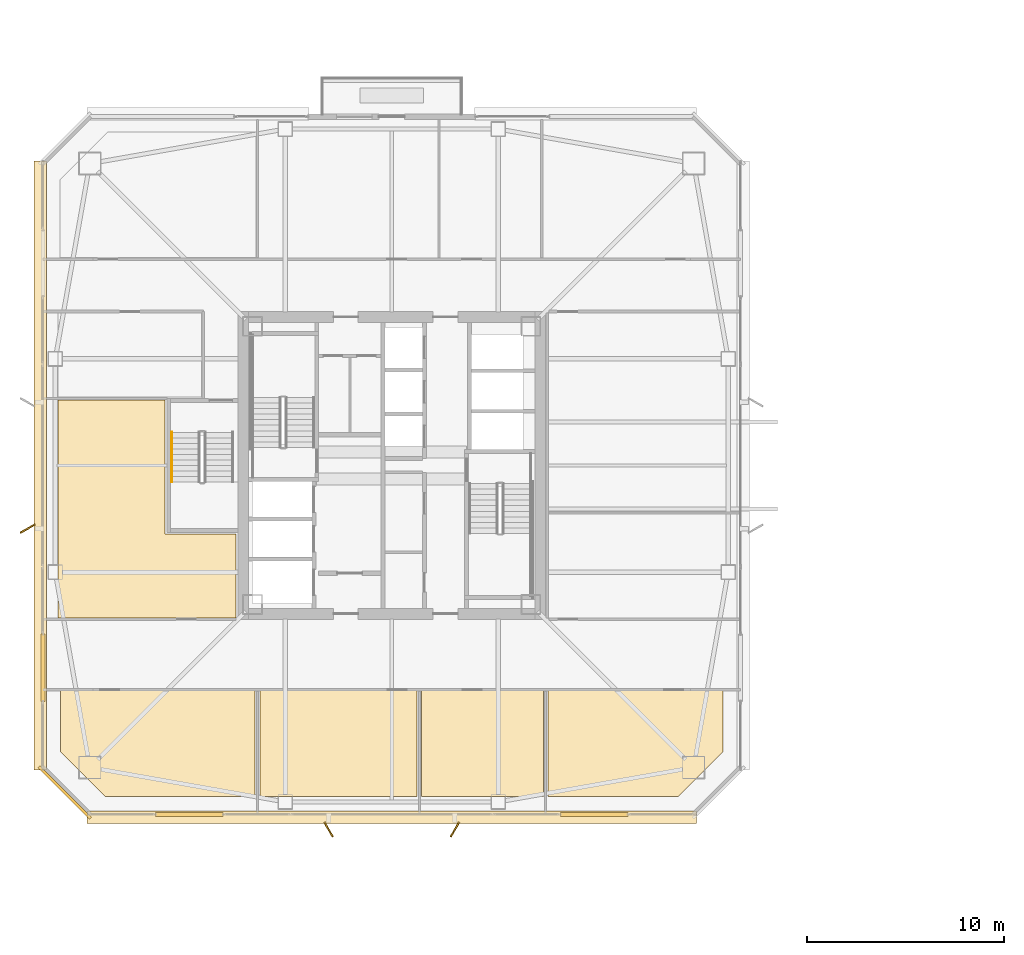
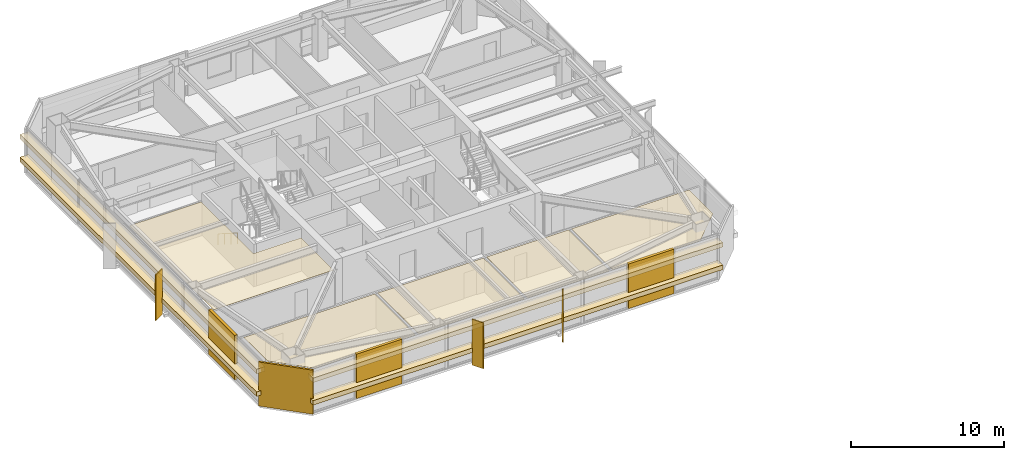
# One storey, part 41 of 46: 13 coverings, 3 shading devices, 1 railing.
"""IFC4 building model written with IfcOpenShell, lengths in metres."""

from ifc_helpers import new_model, si_unit, direction, frame, origin, origin_2d, place, context, subcontext, project, spatial, polyline, rectangle, outline, extrude, material, layer, layer_set, type_object, element, save


model = new_model("IFC4")

# Units and contexts
model_context = context("Model", 3, precision=1e-05, world=origin(), true_north=direction((0.0, 1.0)))
body_context = subcontext(model_context, "Body", "Model", "MODEL_VIEW")
ifc_project = project(units=[si_unit("LENGTHUNIT", "METRE"), si_unit("AREAUNIT", "SQUARE_METRE"), si_unit("VOLUMEUNIT", "CUBIC_METRE"), si_unit("PLANEANGLEUNIT", "RADIAN"), si_unit("MASSUNIT", "GRAM", prefix="KILO")], contexts=[model_context])

# Site, building, storey
site_placement = place(None, origin())
site = spatial("IfcSite", under=ifc_project, at=site_placement, CompositionType="ELEMENT")
building_placement = place(site_placement, origin())
building = spatial("IfcBuilding", under=site, at=building_placement, Name="Tashvorn Skyway Center", CompositionType="ELEMENT")
storey_placement = place(building_placement, frame((0.0, 0.0, 167.64990234375)))
storey = spatial("IfcBuildingStorey", under=building, at=storey_placement, Name="L45", CompositionType="ELEMENT", Elevation=167.64990234375)

# Coverings
ifc_material_1 = material(Name="Precast concrete C40/50", Category="concrete")
ifc_layer_1 = layer(ifc_material_1, 0.199951171875)
ifc_layer_set_1 = layer_set([ifc_layer_1], Name="Precast concrete C40/50")
covering_type_1 = type_object("IfcCoveringType", Name="COV-BRACE-CLAD", PredefinedType="CLADDING", material=ifc_layer_set_1)
for number, where, z_axis, x_axis, name in (
    (1, (52.25341796875, 14.320068359375, 0.0), (0.0, 0.0, 1.0), (-1.0, 0.0, 0.0), "Tower 1 L45 South Unitised Curtain Wall Mega-Brace Cladding Band 1"),
    (2, (31.74658203125, 14.320068359375, 0.0), (0.0, 0.0, 1.0), (-1.0, 0.0, 0.0), "Tower 1 L45 South Unitised Curtain Wall Mega-Brace Cladding Band 2"),
    (3, (24.320068359375, 21.74658203125, 0.0), (0.0, 0.0, 1.0), (0.0, 1.0, 0.0), "Tower 1 L45 West Unitised Curtain Wall Mega-Brace Cladding Band 1"),
):
    element("IfcCovering", number, at=place(storey_placement, frame(where, z_axis=z_axis, x_axis=x_axis)), inside=storey, type_object=covering_type_1, Name=name, PredefinedType="CLADDING", context=body_context, shape_type="SweptSolid", body=[
        extrude(rectangle(XDim=3.417724609375, YDim=0.199951171875, at=origin_2d()), origin(), (0.0, 0.0, 1.0), 3.550048828125),
    ])
ifc_material_2 = material(Name="Mineral-fibre acoustic ceiling tile on suspended grid")
ifc_layer_2 = layer(ifc_material_2, 0.02001953125)
ifc_layer_set_2 = layer_set([ifc_layer_2], Name="Mineral-fibre acoustic ceiling tile on suspended grid")
covering_type_2 = type_object("IfcCoveringType", Name="COV-CEIL-20", PredefinedType="CEILING", material=ifc_layer_set_2)
covering_1_placement = place(storey_placement, frame((0.0, 0.0, 2.703125)))
element("IfcCovering", 4, at=covering_1_placement, inside=storey, type_object=covering_type_2, Name="Tower 1 L45 Gallery Showroom Acoustic Ceiling", PredefinedType="CEILING", context=body_context, shape_type="SweptSolid", body=[
    extrude(outline(polyline([(25.219970703125, 20.590087890625), (35.080078125, 20.590087890625), (35.080078125, 15.219970703125), (27.47998046875, 15.219970703125), (25.219970703125, 17.47998046875), (25.219970703125, 20.590087890625)])), origin(), (0.0, 0.0, 1.0), 0.02001953125),
])
covering_2_placement = place(storey_placement, frame((0.0, 0.0, 2.703125)))
element("IfcCovering", 5, at=covering_2_placement, inside=storey, type_object=covering_type_2, Name="Tower 1 L45 Reading Lounge Acoustic Ceiling", PredefinedType="CEILING", context=body_context, shape_type="SweptSolid", body=[
    extrude(outline(polyline([(35.320068359375, 20.590087890625), (43.280029296875, 20.590087890625), (43.280029296875, 15.219970703125), (35.320068359375, 15.219970703125), (35.320068359375, 20.590087890625)])), origin(), (0.0, 0.0, 1.0), 0.02001953125),
])
covering_3_placement = place(storey_placement, frame((0.0, 0.0, 2.703125)))
element("IfcCovering", 6, at=covering_3_placement, inside=storey, type_object=covering_type_2, Name="Tower 1 L45 Reading Lounge Acoustic Ceiling", PredefinedType="CEILING", context=body_context, shape_type="SweptSolid", body=[
    extrude(outline(polyline([(43.52001953125, 20.590087890625), (49.679931640625, 20.590087890625), (49.679931640625, 15.219970703125), (43.52001953125, 15.219970703125), (43.52001953125, 20.590087890625)])), origin(), (0.0, 0.0, 1.0), 0.02001953125),
])
covering_4_placement = place(storey_placement, frame((0.0, 0.0, 2.703125)))
element("IfcCovering", 7, at=covering_4_placement, inside=storey, type_object=covering_type_2, Name="Tower 1 L45 Collaborative Studio Acoustic Ceiling", PredefinedType="CEILING", context=body_context, shape_type="SweptSolid", body=[
    extrude(outline(polyline([(49.919921875, 15.219970703125), (49.919921875, 20.590087890625), (58.780029296875, 20.590087890625), (58.780029296875, 17.47998046875), (56.52001953125, 15.219970703125), (49.919921875, 15.219970703125)])), origin(), (0.0, 0.0, 1.0), 0.02001953125),
])
covering_5_placement = place(storey_placement, frame((0.0, 0.0, 2.703125)))
element("IfcCovering", 8, at=covering_5_placement, inside=storey, type_object=covering_type_2, Name="Tower 1 L45 Public Restroom Acoustic Ceiling", PredefinedType="CEILING", context=body_context, shape_type="SweptSolid", body=[
    extrude(outline(polyline([(34.1201171875, 24.280029296875), (25.10009765625, 24.280029296875), (25.10009765625, 28.52001953125), (25.10009765625, 35.320068359375), (30.52001953125, 35.320068359375), (30.52001953125, 28.52001953125), (34.1201171875, 28.52001953125), (34.1201171875, 24.280029296875)])), origin(), (0.0, 0.0, 1.0), 0.02001953125),
])
ifc_material_3 = material(Name="Perforated ceramic-coated bronze aluminium solar screen", Category="aluminium")
ifc_layer_3 = layer(ifc_material_3, 0.85009765625)
ifc_layer_set_3 = layer_set([ifc_layer_3], Name="Perforated ceramic-coated bronze aluminium solar screen")
covering_type_3 = type_object("IfcCoveringType", Name="COV-SOLAR-BAND", PredefinedType="CLADDING", material=ifc_layer_set_3)
for number, where, z_axis, x_axis, name in (
    (9, (42.0, 14.179931640625, 0.919921875), (0.0, 0.0, 1.0), (-1.0, 0.0, 0.0), "L45 Perforated Ceramic-Metal Solar Screen Louvre Band South 1"),
    (10, (42.0, 14.179931640625, 2.72021484375), (0.0, 0.0, 1.0), (-1.0, 0.0, 0.0), "L45 Perforated Ceramic-Metal Solar Screen Louvre Band South 2"),
    (11, (24.179931640625, 32.0, 0.919921875), (0.0, 0.0, 1.0), (0.0, 1.0, 0.0), "L45 Perforated Ceramic-Metal Solar Screen Louvre Band West 1"),
    (12, (24.179931640625, 32.0, 2.72021484375), (0.0, 0.0, 1.0), (0.0, 1.0, 0.0), "L45 Perforated Ceramic-Metal Solar Screen Louvre Band West 2"),
):
    element("IfcCovering", number, at=place(storey_placement, frame(where, z_axis=z_axis, x_axis=x_axis)), inside=storey, type_object=covering_type_3, Name=name, PredefinedType="CLADDING", context=body_context, shape_type="SweptSolid", body=[
        extrude(rectangle(XDim=30.8798828125, YDim=0.639892578125, at=origin_2d()), origin(), (0.0, 0.0, 1.0), 0.360107421875),
    ])
ifc_layer_4 = layer(ifc_material_1, 0.35009765625)
ifc_layer_set_4 = layer_set([ifc_layer_4], Name="Precast concrete C40/50")
covering_type_4 = type_object("IfcCoveringType", Name="COV-STONE-TRIM", PredefinedType="CLADDING", material=ifc_layer_set_4)
covering_6_placement = place(storey_placement, frame((25.429931640625, 15.429931640625, 0.02001953125), z_axis=(0.0, 0.0, 1.0), x_axis=(-0.707106781187, 0.707106781187, 0.0)))
element("IfcCovering", 13, at=covering_6_placement, inside=storey, type_object=covering_type_4, Name="Tower 1 L45 SW Mojave Limestone Corner Quoin", PredefinedType="CLADDING", context=body_context, shape_type="SweptSolid", body=[
    extrude(rectangle(XDim=3.695556640625, YDim=0.139892578125, at=origin_2d()), origin(), (0.0, 0.0, 1.0), 3.510009765625),
])

# Railing
ifc_material_4 = material(Name="Brushed stainless steel 316", Category="steel")
railing_type = type_object("IfcRailingType", Name="RAIL-HAND-920", PredefinedType="HANDRAIL", material=ifc_material_4)
railing_placement = place(storey_placement, frame((30.85009765625, 33.679931640625, 0.177490234375)))
element("IfcRailing", 14, at=railing_placement, inside=storey, type_object=railing_type, Name="L45 ST-T1-3 stair handrail 1", PredefinedType="HANDRAIL", context=body_context, shape_type="SweptSolid", body=[
    extrude(rectangle(XDim=0.048095703125, YDim=0.048095703125, at=origin_2d()), frame((0.0, 0.0, 0.8759765625), z_axis=(0.0, -0.84456994832, 0.535445237532), x_axis=(1.0, 0.0, 0.0)), (0.0, 0.0, 1.0), 2.98388671875),
    extrude(rectangle(XDim=0.0419921875, YDim=0.0419921875, at=origin_2d()), origin(), (0.0, 0.0, 1.0), 0.851806640625),
    extrude(rectangle(XDim=0.0419921875, YDim=0.0419921875, at=origin_2d()), frame((0.0, -0.840087890625, 0.532470703125)), (0.0, 0.0, 1.0), 0.851806640625),
    extrude(rectangle(XDim=0.0419921875, YDim=0.0419921875, at=origin_2d()), frame((0.0, -1.679931640625, 1.065185546875)), (0.0, 0.0, 1.0), 0.851806640625),
    extrude(rectangle(XDim=0.0419921875, YDim=0.0419921875, at=origin_2d()), frame((0.0, -2.52001953125, 1.59765625)), (0.0, 0.0, 1.0), 0.851806640625),
])

# Shading devices
ifc_layer_5 = layer(ifc_material_3, 0.06005859375)
ifc_layer_set_5 = layer_set([ifc_layer_5], Name="Perforated ceramic-coated bronze aluminium solar screen")
shading_device_type = type_object("IfcShadingDeviceType", Name="SHD-SOLAR-850", PredefinedType="USERDEFINED", material=ifc_layer_set_5)
for number, where, z_axis, x_axis, name in (
    (15, (38.800048828125, 13.550048828125, -0.099853515625), (0.0, 0.0, 1.0), (-0.866025403784, -0.5, 0.0), "Tower 1 L45 Perforated Ceramic-Metal Solar Screen S1"),
    (16, (45.199951171875, 13.550048828125, -0.099853515625), (0.0, 0.0, 1.0), (-0.866025403784, 0.5, 0.0), "Tower 1 L45 Perforated Ceramic-Metal Solar Screen S2"),
    (17, (23.550048828125, 28.800048828125, -0.099853515625), (0.0, 0.0, 1.0), (-0.5, 0.866025403784, 0.0), "Tower 1 L45 Perforated Ceramic-Metal Solar Screen W1"),
):
    element("IfcShadingDevice", number, at=place(storey_placement, frame(where, z_axis=z_axis, x_axis=x_axis)), inside=storey, type_object=shading_device_type, Name=name, ObjectType="SCREEN", PredefinedType="USERDEFINED", context=body_context, shape_type="SweptSolid", body=[
        extrude(rectangle(XDim=0.080078125, YDim=0.85009765625, at=origin_2d()), origin(), (0.0, 0.0, 1.0), 3.64990234375),
    ])

save(model, "model.ifc")
